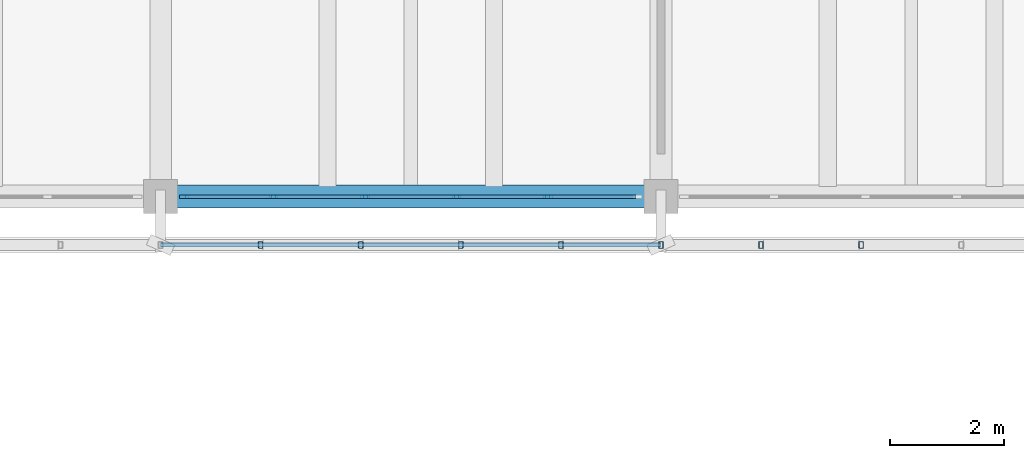
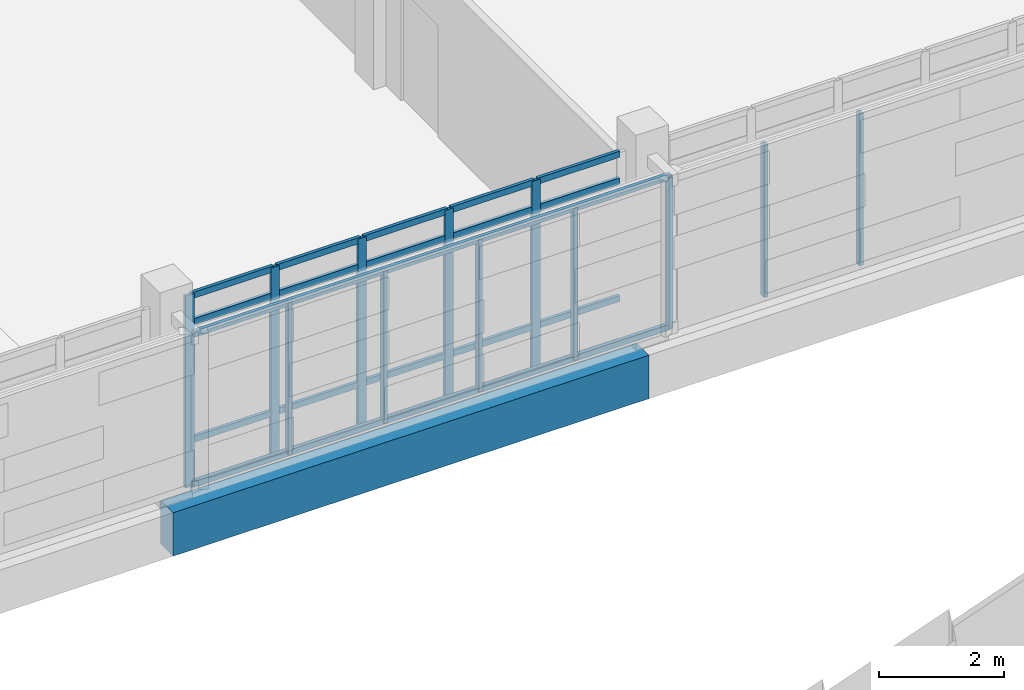
# One storey, part 64 of 137: 34 members, 1 beam, 1 element without a shape of its own.
"""IFC4 building model written with IfcOpenShell, lengths in metres."""

from ifc_helpers import new_model, si_unit, direction, frame, origin, origin_2d, place, context, subcontext, project, spatial, rectangle, hollow_rectangle, extrude, material, material_profile, profile_set, type_object, element, aggregate, save


model = new_model("IFC4")

# Units and contexts
model_context = context("Model", 3, precision=1e-05, world=origin(), true_north=direction((0.0, 1.0)))
body_context = subcontext(model_context, "Body", "Model", "MODEL_VIEW")
ifc_project = project(units=[si_unit("LENGTHUNIT", "METRE"), si_unit("AREAUNIT", "SQUARE_METRE"), si_unit("VOLUMEUNIT", "CUBIC_METRE"), si_unit("PLANEANGLEUNIT", "RADIAN"), si_unit("MASSUNIT", "GRAM", prefix="KILO")], contexts=[model_context])

# Site, building, storey
site_placement = place(None, origin())
site = spatial("IfcSite", under=ifc_project, at=site_placement, CompositionType="ELEMENT")
building_placement = place(site_placement, origin())
building = spatial("IfcBuilding", under=site, at=building_placement, Name="Cinderway Yard Community Centre", CompositionType="ELEMENT")
storey_placement = place(building_placement, frame((0.0, 0.0, 4.800048828125)))
storey = spatial("IfcBuildingStorey", under=building, at=storey_placement, Name="L01", CompositionType="ELEMENT", Elevation=4.800048828125)

# Curtain wall, members
ifc_material_1 = material(Name="Aluminium 6063-T6", Category="aluminium")
curtain_wall_type = type_object("IfcCurtainWallType", Name="ENV-CW-TYPE-27", PredefinedType="USERDEFINED", material=ifc_material_1)
curtain_wall_placement = place(storey_placement, origin())
curtain_wall = element("IfcCurtainWall", 1, at=curtain_wall_placement, inside=storey, type_object=curtain_wall_type, Name="V4 Courtyard Curtain Wall ENV-CW-L01-ST-0136", ObjectType="GLAZED CURTAIN WALL", PredefinedType="USERDEFINED")
ifc_material_profile_1 = material_profile(ifc_material_1, rectangle(XDim=0.06005859375, YDim=0.159912109375, at=origin_2d()), Name="Aluminium 6063-T6")
ifc_profile_set_1 = profile_set([ifc_material_profile_1], Name="Aluminium 6063-T6")
member_type_1 = type_object("IfcMemberType", Name="ENV-CW-MULL-150", PredefinedType="MULLION", material=ifc_profile_set_1)
member_1_placement = place(storey_placement, frame((119.610107421875, 90.0, 0.0), z_axis=(0.0, 0.0, 1.0), x_axis=(0.0, 1.0, 0.0)))
member_1 = element("IfcMember", 2, at=member_1_placement, type_object=member_type_1, Name="CW-27 mullion 1", PredefinedType="MULLION", context=body_context, shape_type="SweptSolid", body=[
    extrude(rectangle(XDim=0.06005859375, YDim=0.159912109375, at=origin_2d()), origin(), (0.0, 0.0, 1.0), 3.75),
])
member_2_placement = place(storey_placement, frame((121.18798828125, 90.0, 0.0), z_axis=(0.0, 0.0, 1.0), x_axis=(0.0, 1.0, 0.0)))
member_2 = element("IfcMember", 3, at=member_2_placement, type_object=member_type_1, Name="CW-27 mullion 2", PredefinedType="MULLION", context=body_context, shape_type="SweptSolid", body=[
    extrude(rectangle(XDim=0.06005859375, YDim=0.159912109375, at=origin_2d()), origin(), (0.0, 0.0, 1.0), 3.75),
])
member_3_placement = place(storey_placement, frame((122.7958984375, 90.0, 0.0), z_axis=(0.0, 0.0, 1.0), x_axis=(0.0, 1.0, 0.0)))
member_3 = element("IfcMember", 4, at=member_3_placement, type_object=member_type_1, Name="CW-27 mullion 3", PredefinedType="MULLION", context=body_context, shape_type="SweptSolid", body=[
    extrude(rectangle(XDim=0.06005859375, YDim=0.159912109375, at=origin_2d()), origin(), (0.0, 0.0, 1.0), 3.75),
])
member_4_placement = place(storey_placement, frame((124.404052734375, 90.0, 0.0), z_axis=(0.0, 0.0, 1.0), x_axis=(0.0, 1.0, 0.0)))
member_4 = element("IfcMember", 5, at=member_4_placement, type_object=member_type_1, Name="CW-27 mullion 4", PredefinedType="MULLION", context=body_context, shape_type="SweptSolid", body=[
    extrude(rectangle(XDim=0.06005859375, YDim=0.159912109375, at=origin_2d()), origin(), (0.0, 0.0, 1.0), 3.75),
])
member_5_placement = place(storey_placement, frame((126.011962890625, 90.0, 0.0), z_axis=(0.0, 0.0, 1.0), x_axis=(0.0, 1.0, 0.0)))
member_5 = element("IfcMember", 6, at=member_5_placement, type_object=member_type_1, Name="CW-27 mullion 5", PredefinedType="MULLION", context=body_context, shape_type="SweptSolid", body=[
    extrude(rectangle(XDim=0.06005859375, YDim=0.159912109375, at=origin_2d()), origin(), (0.0, 0.0, 1.0), 3.75),
])
ifc_material_profile_2 = material_profile(ifc_material_1, rectangle(XDim=0.06005859375, YDim=0.1201171875, at=origin_2d()), Name="Aluminium 6063-T6")
ifc_profile_set_2 = profile_set([ifc_material_profile_2], Name="Aluminium 6063-T6")
member_type_2 = type_object("IfcMemberType", Name="ENV-CW-TRAN-110", PredefinedType="USERDEFINED", material=ifc_profile_set_2)
member_6_placement = place(storey_placement, frame((119.639892578125, 90.0, 0.030029296875), z_axis=(1.0, 0.0, 0.0), x_axis=(0.0, 1.0, 0.0)))
member_6 = element("IfcMember", 7, at=member_6_placement, type_object=member_type_2, Name="CW-27 transom 1.1", ObjectType="TRANSOM", PredefinedType="USERDEFINED", context=body_context, shape_type="SweptSolid", body=[
    extrude(rectangle(XDim=0.06005859375, YDim=0.1201171875, at=origin_2d()), origin(), (0.0, 0.0, 1.0), 1.51806640625),
])
member_7_placement = place(storey_placement, frame((119.639892578125, 90.0, 0.89990234375), z_axis=(1.0, 0.0, 0.0), x_axis=(0.0, 1.0, 0.0)))
member_7 = element("IfcMember", 8, at=member_7_placement, type_object=member_type_2, Name="CW-27 transom 1.2", ObjectType="TRANSOM", PredefinedType="USERDEFINED", context=body_context, shape_type="SweptSolid", body=[
    extrude(rectangle(XDim=0.06005859375, YDim=0.1201171875, at=origin_2d()), origin(), (0.0, 0.0, 1.0), 1.51806640625),
])
member_8_placement = place(storey_placement, frame((119.639892578125, 90.0, 3.199951171875), z_axis=(1.0, 0.0, 0.0), x_axis=(0.0, 1.0, 0.0)))
member_8 = element("IfcMember", 9, at=member_8_placement, type_object=member_type_2, Name="CW-27 transom 1.3", ObjectType="TRANSOM", PredefinedType="USERDEFINED", context=body_context, shape_type="SweptSolid", body=[
    extrude(rectangle(XDim=0.06005859375, YDim=0.1201171875, at=origin_2d()), origin(), (0.0, 0.0, 1.0), 1.51806640625),
])
member_9_placement = place(storey_placement, frame((119.639892578125, 90.0, 3.719970703125), z_axis=(1.0, 0.0, 0.0), x_axis=(0.0, 1.0, 0.0)))
member_9 = element("IfcMember", 10, at=member_9_placement, type_object=member_type_2, Name="CW-27 transom 1.4", ObjectType="TRANSOM", PredefinedType="USERDEFINED", context=body_context, shape_type="SweptSolid", body=[
    extrude(rectangle(XDim=0.06005859375, YDim=0.1201171875, at=origin_2d()), origin(), (0.0, 0.0, 1.0), 1.51806640625),
])
member_10_placement = place(storey_placement, frame((121.218017578125, 90.0, 0.030029296875), z_axis=(1.0, 0.0, 0.0), x_axis=(0.0, 1.0, 0.0)))
member_10 = element("IfcMember", 11, at=member_10_placement, type_object=member_type_2, Name="CW-27 transom 2.1", ObjectType="TRANSOM", PredefinedType="USERDEFINED", context=body_context, shape_type="SweptSolid", body=[
    extrude(rectangle(XDim=0.06005859375, YDim=0.1201171875, at=origin_2d()), origin(), (0.0, 0.0, 1.0), 1.548095703125),
])
member_11_placement = place(storey_placement, frame((121.218017578125, 90.0, 0.89990234375), z_axis=(1.0, 0.0, 0.0), x_axis=(0.0, 1.0, 0.0)))
member_11 = element("IfcMember", 12, at=member_11_placement, type_object=member_type_2, Name="CW-27 transom 2.2", ObjectType="TRANSOM", PredefinedType="USERDEFINED", context=body_context, shape_type="SweptSolid", body=[
    extrude(rectangle(XDim=0.06005859375, YDim=0.1201171875, at=origin_2d()), origin(), (0.0, 0.0, 1.0), 1.548095703125),
])
member_12_placement = place(storey_placement, frame((121.218017578125, 90.0, 3.199951171875), z_axis=(1.0, 0.0, 0.0), x_axis=(0.0, 1.0, 0.0)))
member_12 = element("IfcMember", 13, at=member_12_placement, type_object=member_type_2, Name="CW-27 transom 2.3", ObjectType="TRANSOM", PredefinedType="USERDEFINED", context=body_context, shape_type="SweptSolid", body=[
    extrude(rectangle(XDim=0.06005859375, YDim=0.1201171875, at=origin_2d()), origin(), (0.0, 0.0, 1.0), 1.548095703125),
])
member_13_placement = place(storey_placement, frame((121.218017578125, 90.0, 3.719970703125), z_axis=(1.0, 0.0, 0.0), x_axis=(0.0, 1.0, 0.0)))
member_13 = element("IfcMember", 14, at=member_13_placement, type_object=member_type_2, Name="CW-27 transom 2.4", ObjectType="TRANSOM", PredefinedType="USERDEFINED", context=body_context, shape_type="SweptSolid", body=[
    extrude(rectangle(XDim=0.06005859375, YDim=0.1201171875, at=origin_2d()), origin(), (0.0, 0.0, 1.0), 1.548095703125),
])
member_14_placement = place(storey_placement, frame((122.825927734375, 90.0, 0.030029296875), z_axis=(1.0, 0.0, 0.0), x_axis=(0.0, 1.0, 0.0)))
member_14 = element("IfcMember", 15, at=member_14_placement, type_object=member_type_2, Name="CW-27 transom 3.1", ObjectType="TRANSOM", PredefinedType="USERDEFINED", context=body_context, shape_type="SweptSolid", body=[
    extrude(rectangle(XDim=0.06005859375, YDim=0.1201171875, at=origin_2d()), origin(), (0.0, 0.0, 1.0), 1.548095703125),
])
member_15_placement = place(storey_placement, frame((122.825927734375, 90.0, 0.89990234375), z_axis=(1.0, 0.0, 0.0), x_axis=(0.0, 1.0, 0.0)))
member_15 = element("IfcMember", 16, at=member_15_placement, type_object=member_type_2, Name="CW-27 transom 3.2", ObjectType="TRANSOM", PredefinedType="USERDEFINED", context=body_context, shape_type="SweptSolid", body=[
    extrude(rectangle(XDim=0.06005859375, YDim=0.1201171875, at=origin_2d()), origin(), (0.0, 0.0, 1.0), 1.548095703125),
])
member_16_placement = place(storey_placement, frame((122.825927734375, 90.0, 3.199951171875), z_axis=(1.0, 0.0, 0.0), x_axis=(0.0, 1.0, 0.0)))
member_16 = element("IfcMember", 17, at=member_16_placement, type_object=member_type_2, Name="CW-27 transom 3.3", ObjectType="TRANSOM", PredefinedType="USERDEFINED", context=body_context, shape_type="SweptSolid", body=[
    extrude(rectangle(XDim=0.06005859375, YDim=0.1201171875, at=origin_2d()), origin(), (0.0, 0.0, 1.0), 1.548095703125),
])
member_17_placement = place(storey_placement, frame((122.825927734375, 90.0, 3.719970703125), z_axis=(1.0, 0.0, 0.0), x_axis=(0.0, 1.0, 0.0)))
member_17 = element("IfcMember", 18, at=member_17_placement, type_object=member_type_2, Name="CW-27 transom 3.4", ObjectType="TRANSOM", PredefinedType="USERDEFINED", context=body_context, shape_type="SweptSolid", body=[
    extrude(rectangle(XDim=0.06005859375, YDim=0.1201171875, at=origin_2d()), origin(), (0.0, 0.0, 1.0), 1.548095703125),
])
member_18_placement = place(storey_placement, frame((124.43408203125, 90.0, 0.030029296875), z_axis=(1.0, 0.0, 0.0), x_axis=(0.0, 1.0, 0.0)))
member_18 = element("IfcMember", 19, at=member_18_placement, type_object=member_type_2, Name="CW-27 transom 4.1", ObjectType="TRANSOM", PredefinedType="USERDEFINED", context=body_context, shape_type="SweptSolid", body=[
    extrude(rectangle(XDim=0.06005859375, YDim=0.1201171875, at=origin_2d()), origin(), (0.0, 0.0, 1.0), 1.5478515625),
])
member_19_placement = place(storey_placement, frame((124.43408203125, 90.0, 0.89990234375), z_axis=(1.0, 0.0, 0.0), x_axis=(0.0, 1.0, 0.0)))
member_19 = element("IfcMember", 20, at=member_19_placement, type_object=member_type_2, Name="CW-27 transom 4.2", ObjectType="TRANSOM", PredefinedType="USERDEFINED", context=body_context, shape_type="SweptSolid", body=[
    extrude(rectangle(XDim=0.06005859375, YDim=0.1201171875, at=origin_2d()), origin(), (0.0, 0.0, 1.0), 1.5478515625),
])
member_20_placement = place(storey_placement, frame((124.43408203125, 90.0, 3.199951171875), z_axis=(1.0, 0.0, 0.0), x_axis=(0.0, 1.0, 0.0)))
member_20 = element("IfcMember", 21, at=member_20_placement, type_object=member_type_2, Name="CW-27 transom 4.3", ObjectType="TRANSOM", PredefinedType="USERDEFINED", context=body_context, shape_type="SweptSolid", body=[
    extrude(rectangle(XDim=0.06005859375, YDim=0.1201171875, at=origin_2d()), origin(), (0.0, 0.0, 1.0), 1.5478515625),
])
member_21_placement = place(storey_placement, frame((124.43408203125, 90.0, 3.719970703125), z_axis=(1.0, 0.0, 0.0), x_axis=(0.0, 1.0, 0.0)))
member_21 = element("IfcMember", 22, at=member_21_placement, type_object=member_type_2, Name="CW-27 transom 4.4", ObjectType="TRANSOM", PredefinedType="USERDEFINED", context=body_context, shape_type="SweptSolid", body=[
    extrude(rectangle(XDim=0.06005859375, YDim=0.1201171875, at=origin_2d()), origin(), (0.0, 0.0, 1.0), 1.5478515625),
])
member_22_placement = place(storey_placement, frame((126.0419921875, 90.0, 0.030029296875), z_axis=(1.0, 0.0, 0.0), x_axis=(0.0, 1.0, 0.0)))
member_22 = element("IfcMember", 23, at=member_22_placement, type_object=member_type_2, Name="CW-27 transom 5.1", ObjectType="TRANSOM", PredefinedType="USERDEFINED", context=body_context, shape_type="SweptSolid", body=[
    extrude(rectangle(XDim=0.06005859375, YDim=0.1201171875, at=origin_2d()), origin(), (0.0, 0.0, 1.0), 1.51806640625),
])
member_23_placement = place(storey_placement, frame((126.0419921875, 90.0, 0.89990234375), z_axis=(1.0, 0.0, 0.0), x_axis=(0.0, 1.0, 0.0)))
member_23 = element("IfcMember", 24, at=member_23_placement, type_object=member_type_2, Name="CW-27 transom 5.2", ObjectType="TRANSOM", PredefinedType="USERDEFINED", context=body_context, shape_type="SweptSolid", body=[
    extrude(rectangle(XDim=0.06005859375, YDim=0.1201171875, at=origin_2d()), origin(), (0.0, 0.0, 1.0), 1.51806640625),
])
member_24_placement = place(storey_placement, frame((126.0419921875, 90.0, 3.199951171875), z_axis=(1.0, 0.0, 0.0), x_axis=(0.0, 1.0, 0.0)))
member_24 = element("IfcMember", 25, at=member_24_placement, type_object=member_type_2, Name="CW-27 transom 5.3", ObjectType="TRANSOM", PredefinedType="USERDEFINED", context=body_context, shape_type="SweptSolid", body=[
    extrude(rectangle(XDim=0.06005859375, YDim=0.1201171875, at=origin_2d()), origin(), (0.0, 0.0, 1.0), 1.51806640625),
])
member_25_placement = place(storey_placement, frame((126.0419921875, 90.0, 3.719970703125), z_axis=(1.0, 0.0, 0.0), x_axis=(0.0, 1.0, 0.0)))
member_25 = element("IfcMember", 26, at=member_25_placement, type_object=member_type_2, Name="CW-27 transom 5.4", ObjectType="TRANSOM", PredefinedType="USERDEFINED", context=body_context, shape_type="SweptSolid", body=[
    extrude(rectangle(XDim=0.06005859375, YDim=0.1201171875, at=origin_2d()), origin(), (0.0, 0.0, 1.0), 1.51806640625),
])
aggregate(curtain_wall, [member_1, member_2, member_3, member_4, member_5, member_6, member_7, member_8, member_9, member_10, member_11, member_12, member_13, member_14, member_15, member_16, member_17, member_18, member_19, member_20, member_21, member_22, member_23, member_24, member_25])

# Members
ifc_material_2 = material(Name="Steel S355", Category="steel")
ifc_material_profile_3 = material_profile(ifc_material_2, hollow_rectangle(XDim=0.080078125, YDim=0.1201171875, WallThickness=0.00634765625, InnerFilletRadius=0.00634765625, OuterFilletRadius=0.0126953125, at=origin_2d()), Name="Steel S355")
ifc_profile_set_3 = profile_set([ifc_material_profile_3], Name="Steel S355")
member_type_3 = type_object("IfcMemberType", Name="ENV-MEM-SCREEN-RAIL-120", PredefinedType="STRINGER", material=ifc_profile_set_3)
for number, where, z_axis, x_axis, name in (
    (27, (119.199951171875, 89.14990234375, 0.7099609375), (1.0, 0.0, 0.0), (0.0, 1.0, 0.0), "Screen support rail 0390-BOT"),
    (28, (119.199951171875, 89.14990234375, 3.639892578125), (1.0, 0.0, 0.0), (0.0, 1.0, 0.0), "Screen support rail 0391-TOP"),
):
    element("IfcMember", number, at=place(storey_placement, frame(where, z_axis=z_axis, x_axis=x_axis)), inside=storey, type_object=member_type_3, Name=name, PredefinedType="STRINGER", context=body_context, shape_type="SweptSolid", body=[
        extrude(hollow_rectangle(XDim=0.080078125, YDim=0.1201171875, WallThickness=0.00634765625, InnerFilletRadius=0.00634765625, OuterFilletRadius=0.0126953125, at=origin_2d()), origin(), (0.0, 0.0, 1.0), 8.800048828125),
    ])
for number, where, z_axis, x_axis, name in (
    (29, (120.9599609375, 89.14990234375, 0.68994140625), (0.0, 0.0, 1.0), (1.0, 0.0, 0.0), "Screen vertical mullion 0392"),
    (30, (122.719970703125, 89.14990234375, 0.68994140625), (0.0, 0.0, 1.0), (1.0, 0.0, 0.0), "Screen vertical mullion 0393"),
    (31, (124.47998046875, 89.14990234375, 0.68994140625), (0.0, 0.0, 1.0), (1.0, 0.0, 0.0), "Screen vertical mullion 0394"),
    (32, (126.239990234375, 89.14990234375, 0.68994140625), (0.0, 0.0, 1.0), (1.0, 0.0, 0.0), "Screen vertical mullion 0395"),
    (33, (128.0, 89.14990234375, 0.68994140625), (0.0, 0.0, 1.0), (1.0, 0.0, 0.0), "Screen vertical mullion 0396"),
    (34, (129.760009765625, 89.14990234375, 0.68994140625), (0.0, 0.0, 1.0), (1.0, 0.0, 0.0), "Screen vertical mullion 0400"),
    (35, (131.52001953125, 89.14990234375, 0.68994140625), (0.0, 0.0, 1.0), (1.0, 0.0, 0.0), "Screen vertical mullion 0401"),
):
    element("IfcMember", number, at=place(storey_placement, frame(where, z_axis=z_axis, x_axis=x_axis)), inside=storey, type_object=member_type_3, Name=name, PredefinedType="STRINGER", context=body_context, shape_type="SweptSolid", body=[
        extrude(hollow_rectangle(XDim=0.080078125, YDim=0.1201171875, WallThickness=0.00634765625, InnerFilletRadius=0.00634765625, OuterFilletRadius=0.0126953125, at=origin_2d()), origin(), (0.0, 0.0, 1.0), 2.969970703125),
    ])

# Beam
ifc_material_3 = material(Name="Concrete C40/50", Category="concrete")
ifc_material_profile_4 = material_profile(ifc_material_3, rectangle(XDim=0.39990234375, YDim=0.85009765625, at=origin_2d()), Name="Concrete C40/50")
ifc_profile_set_4 = profile_set([ifc_material_profile_4], Name="Concrete C40/50")
beam_type = type_object("IfcBeamType", Name="STR-BM-RC400X850", PredefinedType="BEAM", material=ifc_profile_set_4)
beam_placement = place(storey_placement, frame((119.199951171875, 90.0, -0.68505859375), z_axis=(1.0, 0.0, 0.0), x_axis=(0.0, 1.0, 0.0)))
element("IfcBeam", 36, at=beam_placement, inside=storey, type_object=beam_type, Name="Primary girder STR-BM-L01-BG04-0181", PredefinedType="BEAM", context=body_context, shape_type="SweptSolid", body=[
    extrude(rectangle(XDim=0.39990234375, YDim=0.85009765625, at=origin_2d()), origin(), (0.0, 0.0, 1.0), 8.800048828125),
])

save(model, "model.ifc")
